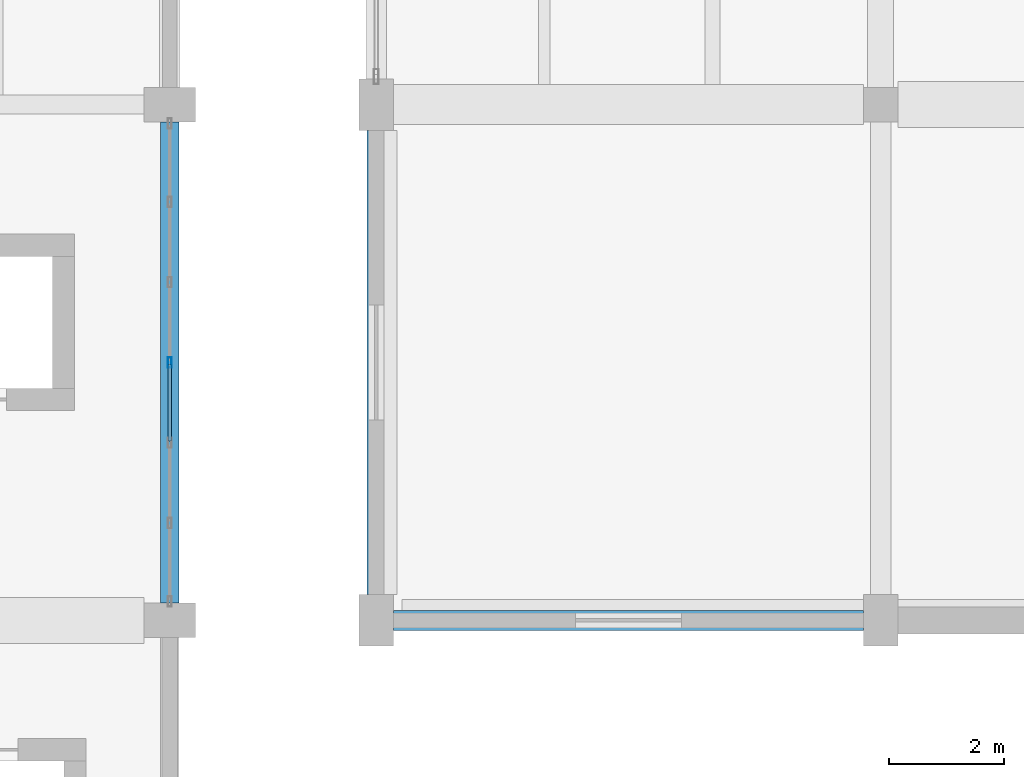
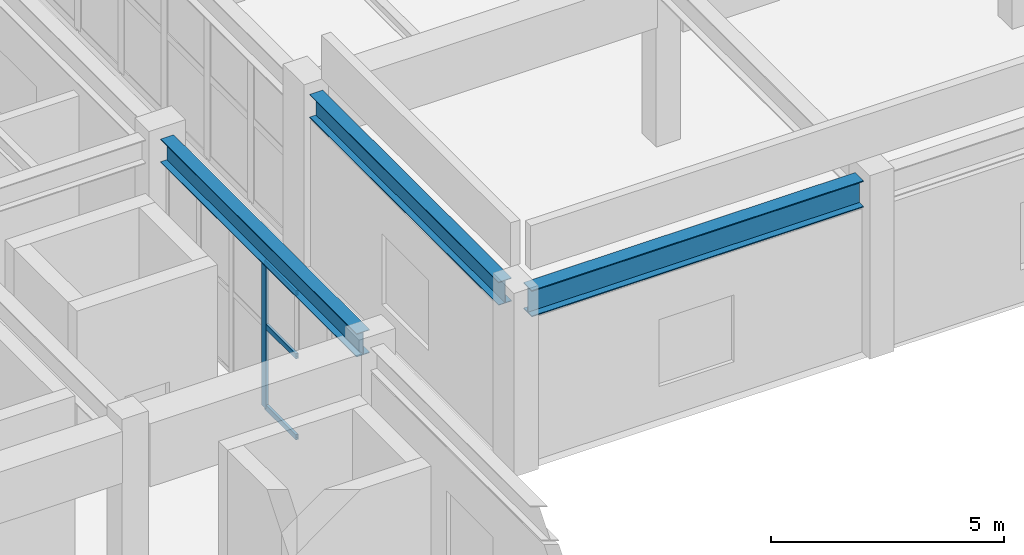
# One storey, part 26 of 85: 4 members, 3 beams, 1 element without a shape of its own.
"""IFC4 building model written with IfcOpenShell, lengths in metres."""

from ifc_helpers import new_model, si_unit, direction, frame, origin, origin_2d, place, context, subcontext, project, spatial, hollow_rectangle, i_section, extrude, material, layer, layer_set, material_profile, profile_set, type_object, element, aggregate, save


model = new_model("IFC4")

# Units and contexts
model_context = context("Model", 3, precision=1e-05, world=origin(), true_north=direction((0.0, 1.0)))
body_context = subcontext(model_context, "Body", "Model", "MODEL_VIEW")
ifc_project = project(units=[si_unit("LENGTHUNIT", "METRE"), si_unit("AREAUNIT", "SQUARE_METRE"), si_unit("VOLUMEUNIT", "CUBIC_METRE"), si_unit("PLANEANGLEUNIT", "RADIAN"), si_unit("MASSUNIT", "GRAM", prefix="KILO")], contexts=[model_context])

# Site, building, storey
site_placement = place(None, origin())
site = spatial("IfcSite", under=ifc_project, at=site_placement, CompositionType="ELEMENT")
building_placement = place(site_placement, origin())
building = spatial("IfcBuilding", under=site, at=building_placement, Name="Vaelkrest Opera House", CompositionType="ELEMENT")
storey_placement = place(building_placement, frame((0.0, 0.0, 10.199951171875)))
storey = spatial("IfcBuildingStorey", under=building, at=storey_placement, Name="L02", CompositionType="ELEMENT", Elevation=10.199951171875)

# Curtain wall, members
ifc_material_1 = material(Name="Dark bronze anodized aluminium", Category="aluminium")
ifc_layer = layer(ifc_material_1, 0.179931640625)
ifc_layer_set = layer_set([ifc_layer], Name="Dark bronze anodized aluminium")
curtain_wall_type = type_object("IfcCurtainWallType", Name="CW01", PredefinedType="NOTDEFINED", material=ifc_layer_set)
curtain_wall_placement = place(storey_placement, origin())
curtain_wall = element("IfcCurtainWall", 1, at=curtain_wall_placement, inside=storey, type_object=curtain_wall_type, Name="Curtain wall CW-L02-040", PredefinedType="NOTDEFINED")
ifc_material_profile_1 = material_profile(ifc_material_1, hollow_rectangle(XDim=0.06494140625, YDim=0.179931640625, WallThickness=0.00390625, at=origin_2d()), Name="CWM65X180")
ifc_profile_set_1 = profile_set([ifc_material_profile_1], Name="Dark bronze anodized aluminium")
member_type_1 = type_object("IfcMemberType", Name="CWM01", PredefinedType="MULLION", material=ifc_profile_set_1)
member_1_placement = place(storey_placement, frame((30.0, -24.300048828125, 0.0), z_axis=(0.0, 0.0, 1.0), x_axis=(1.0, 0.0, 0.0)))
member_1 = element("IfcMember", 2, at=member_1_placement, type_object=member_type_1, Name="CW01 mullion 4", PredefinedType="MULLION", context=body_context, shape_type="SweptSolid", body=[
    extrude(hollow_rectangle(XDim=0.06494140625, YDim=0.179931640625, WallThickness=0.00390625, at=origin_2d()), origin(), (0.0, 0.0, 1.0), 3.8291015625),
])
ifc_material_profile_2 = material_profile(ifc_material_1, hollow_rectangle(XDim=0.06494140625, YDim=0.139892578125, WallThickness=0.00390625, at=origin_2d()), Name="CWT65X140")
ifc_profile_set_2 = profile_set([ifc_material_profile_2], Name="Dark bronze anodized aluminium")
member_type_2 = type_object("IfcMemberType", Name="CWT01", PredefinedType="USERDEFINED", material=ifc_profile_set_2)
member_2_placement = place(storey_placement, frame((30.0, -24.33251953125, 0.032470703125), z_axis=(0.0, -1.0, 0.0), x_axis=(1.0, 0.0, 0.0)))
member_2 = element("IfcMember", 3, at=member_2_placement, type_object=member_type_2, Name="CW01 transom 4.1", ObjectType="TRANSOM", PredefinedType="USERDEFINED", context=body_context, shape_type="SweptSolid", body=[
    extrude(hollow_rectangle(XDim=0.06494140625, YDim=0.139892578125, WallThickness=0.00390625, at=origin_2d()), origin(), (0.0, 0.0, 1.0), 1.335693359375),
])
member_3_placement = place(storey_placement, frame((30.0, -24.33251953125, 2.150146484375), z_axis=(0.0, -1.0, 0.0), x_axis=(1.0, 0.0, 0.0)))
member_3 = element("IfcMember", 4, at=member_3_placement, type_object=member_type_2, Name="CW01 transom 4.2", ObjectType="TRANSOM", PredefinedType="USERDEFINED", context=body_context, shape_type="SweptSolid", body=[
    extrude(hollow_rectangle(XDim=0.06494140625, YDim=0.139892578125, WallThickness=0.00390625, at=origin_2d()), origin(), (0.0, 0.0, 1.0), 1.335693359375),
])
member_4_placement = place(storey_placement, frame((30.0, -24.33251953125, 3.796630859375), z_axis=(0.0, -1.0, 0.0), x_axis=(1.0, 0.0, 0.0)))
member_4 = element("IfcMember", 5, at=member_4_placement, type_object=member_type_2, Name="CW01 transom 4.3", ObjectType="TRANSOM", PredefinedType="USERDEFINED", context=body_context, shape_type="SweptSolid", body=[
    extrude(hollow_rectangle(XDim=0.06494140625, YDim=0.139892578125, WallThickness=0.00390625, at=origin_2d()), origin(), (0.0, 0.0, 1.0), 1.335693359375),
])
aggregate(curtain_wall, [member_1, member_2, member_3, member_4])

# Beams
ifc_material_2 = material(Name="Steel A992 Gr50", Category="steel")
ifc_material_profile_3 = material_profile(ifc_material_2, i_section(OverallWidth=0.323974609375, OverallDepth=0.611083984375, WebThickness=0.0126953125, FlangeThickness=0.01904296875, at=origin_2d()), Name="W24X104")
ifc_profile_set_3 = profile_set([ifc_material_profile_3], Name="Steel A992 Gr50")
beam_type_1 = type_object("IfcBeamType", Name="SP01", PredefinedType="SPANDREL", material=ifc_profile_set_3)
beam_1_placement = place(storey_placement, frame((30.0, -28.5, 4.199462890625), z_axis=(0.0, 1.0, 0.0), x_axis=(-1.0, 0.0, 0.0)))
element("IfcBeam", 6, at=beam_1_placement, inside=storey, type_object=beam_type_1, Name="Beam BM-V1-L02-0402", PredefinedType="SPANDREL", context=body_context, shape_type="SweptSolid", body=[
    extrude(i_section(OverallWidth=0.323974609375, OverallDepth=0.611083984375, WebThickness=0.0126953125, FlangeThickness=0.01904296875, at=origin_2d()), origin(), (0.0, 0.0, 1.0), 8.39990234375),
])
beam_2_placement = place(storey_placement, frame((33.60009765625, -28.35009765625, 4.199462890625), z_axis=(0.0, 1.0, 0.0), x_axis=(-1.0, 0.0, 0.0)))
element("IfcBeam", 7, at=beam_2_placement, inside=storey, type_object=beam_type_1, Name="Beam BM-V4-L02-2280", PredefinedType="SPANDREL", context=body_context, shape_type="SweptSolid", body=[
    extrude(i_section(OverallWidth=0.323974609375, OverallDepth=0.611083984375, WebThickness=0.0126953125, FlangeThickness=0.01904296875, at=origin_2d()), origin(), (0.0, 0.0, 1.0), 8.10009765625),
])
ifc_material_profile_4 = material_profile(ifc_material_2, i_section(OverallWidth=0.35498046875, OverallDepth=0.695068359375, WebThickness=0.015380859375, FlangeThickness=0.02490234375, at=origin_2d()), Name="W27X146")
ifc_profile_set_4 = profile_set([ifc_material_profile_4], Name="Steel A992 Gr50")
beam_type_2 = type_object("IfcBeamType", Name="SP02", PredefinedType="SPANDREL", material=ifc_profile_set_4)
beam_3_placement = place(storey_placement, frame((33.89990234375, -28.800048828125, 4.157470703125), z_axis=(1.0, 0.0, 0.0), x_axis=(0.0, 1.0, 0.0)))
element("IfcBeam", 8, at=beam_3_placement, inside=storey, type_object=beam_type_2, Name="Beam BM-V4-L02-2250", PredefinedType="SPANDREL", context=body_context, shape_type="SweptSolid", body=[
    extrude(i_section(OverallWidth=0.35498046875, OverallDepth=0.695068359375, WebThickness=0.015380859375, FlangeThickness=0.02490234375, at=origin_2d()), origin(), (0.0, 0.0, 1.0), 8.2001953125),
])

save(model, "model.ifc")
